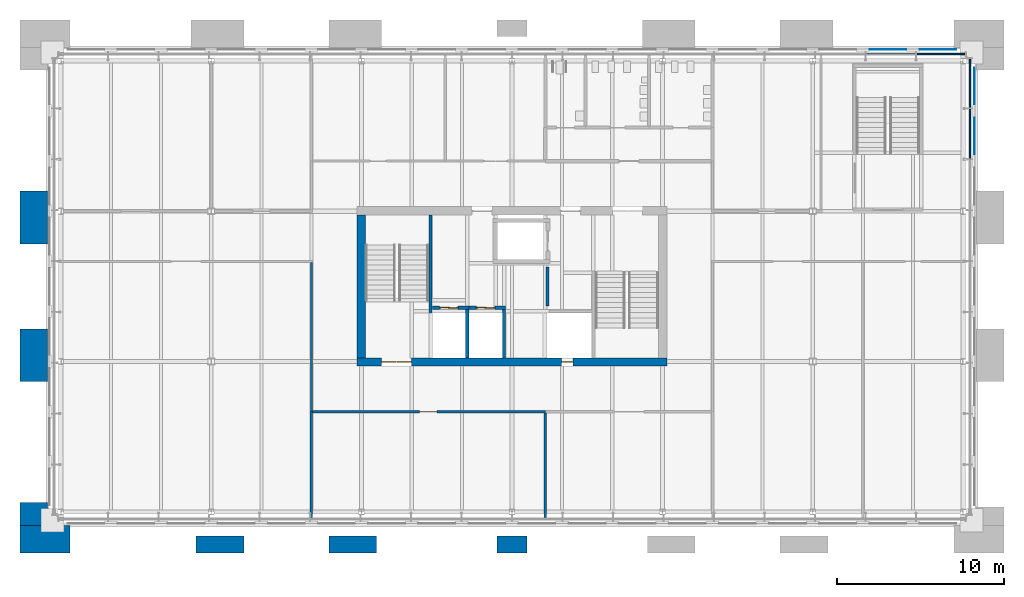
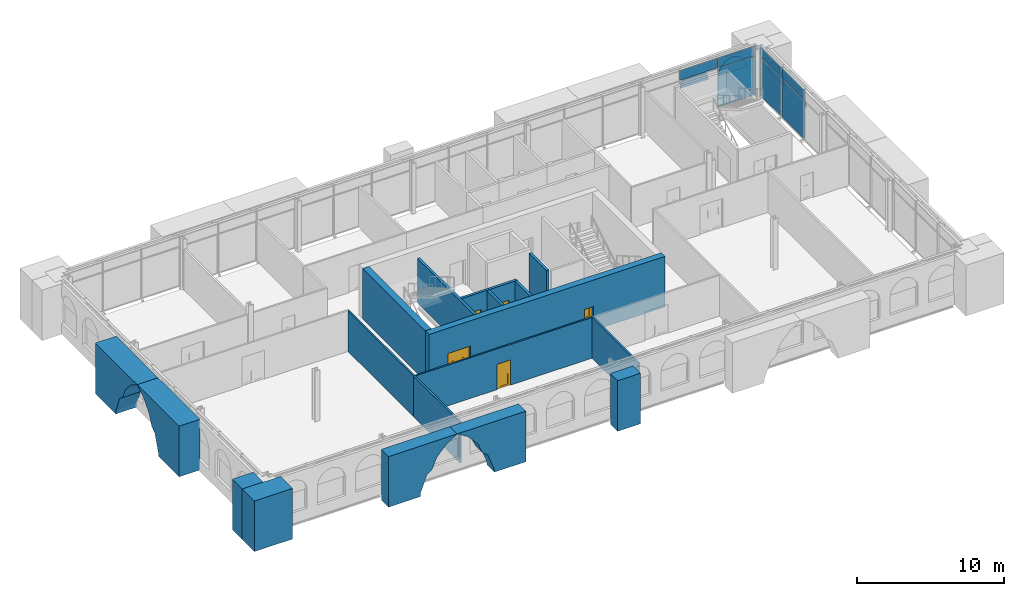
# One storey, part 11 of 22: 19 walls, 11 plates, 5 doors, 5 openings, 2 elements without a shape of their own.
"""IFC4 building model written with IfcOpenShell, lengths in metres."""

from ifc_helpers import new_model, si_unit, direction, frame, frame_2d, origin, origin_2d, place, context, subcontext, project, spatial, polyline, rectangle, outline, extrude, material, layer, layer_set, type_object, element, fill, aggregate, save


model = new_model("IFC4")

# Units and contexts
model_context = context("Model", 3, precision=1e-05, world=origin(), true_north=direction((0.0, 1.0)))
body_context = subcontext(model_context, "Body", "Model", "MODEL_VIEW")
ifc_project = project(units=[si_unit("LENGTHUNIT", "METRE"), si_unit("AREAUNIT", "SQUARE_METRE"), si_unit("VOLUMEUNIT", "CUBIC_METRE"), si_unit("PLANEANGLEUNIT", "RADIAN"), si_unit("MASSUNIT", "GRAM", prefix="KILO")], contexts=[model_context])

# Site, building, storey
site_placement = place(None, origin())
site = spatial("IfcSite", under=ifc_project, at=site_placement, CompositionType="ELEMENT")
building_placement = place(site_placement, origin())
building = spatial("IfcBuilding", under=site, at=building_placement, Name="Baradari Gate Terminus", CompositionType="ELEMENT")
storey_placement = place(building_placement, frame((0.0, 0.0, 28.5)))
storey = spatial("IfcBuildingStorey", under=building, at=storey_placement, Name="L06", CompositionType="ELEMENT", Elevation=28.5)

# Plates
ifc_material_1 = material(Name="Insulating glass unit", Category="glass")
ifc_layer_1 = layer(ifc_material_1, 0.0400390625)
ifc_layer_set_1 = layer_set([ifc_layer_1], Name="Insulating glass unit")
plate_type_1 = type_object("IfcPlateType", Name="Arch head glazing CP-AH 40", PredefinedType="SHEET", material=ifc_layer_set_1)
for number, where, z_axis, x_axis, name in (
    (1, (63.679931640625, 138.39990234375, 2.39990234375), (0.0, 0.0, 1.0), (0.0, 1.0, 0.0), "Arch head glazing CP-AH L06 E face 8"),
    (2, (63.679931640625, 141.39990234375, 2.39990234375), (0.0, 0.0, 1.0), (0.0, 1.0, 0.0), "Arch head glazing CP-AH L06 E face 9"),
    (3, (62.60009765625, 144.679931640625, 2.39990234375), (0.0, 0.0, 1.0), (-1.0, 0.0, 0.0), "Arch head glazing CP-AH L06 N face 1"),
    (4, (59.60009765625, 144.679931640625, 2.39990234375), (0.0, 0.0, 1.0), (-1.0, 0.0, 0.0), "Arch head glazing CP-AH L06 N face 2"),
):
    element("IfcPlate", number, at=place(storey_placement, frame(where, z_axis=z_axis, x_axis=x_axis)), inside=storey, type_object=plate_type_1, Name=name, PredefinedType="SHEET", context=body_context, shape_type="SweptSolid", body=[
        extrude(outline(polyline([(0.0, 0.0), (2.199951171875, 0.0), (2.19091796875, 0.148681640625), (2.163330078125, 0.294921875), (2.1181640625, 0.436767578125), (2.0556640625, 0.572021484375), (1.97705078125, 0.6982421875), (1.88330078125, 0.81396484375), (1.776123046875, 0.917236328125), (1.6572265625, 1.006591796875), (1.52783203125, 1.08056640625), (1.390625, 1.137939453125), (1.247314453125, 1.177978515625), (1.10009765625, 1.2001953125), (0.952880859375, 1.177978515625), (0.809326171875, 1.137939453125), (0.672119140625, 1.08056640625), (0.54296875, 1.006591796875), (0.423828125, 0.917236328125), (0.316650390625, 0.81396484375), (0.222900390625, 0.6982421875), (0.144287109375, 0.572021484375), (0.08203125, 0.436767578125), (0.03662109375, 0.294921875), (0.00927734375, 0.148681640625), (0.0, 0.0)])), frame((0.0, 0.02001953125, 0.0), z_axis=(0.0, -1.0, 0.0), x_axis=(1.0, 0.0, 0.0)), (0.0, 0.0, 1.0), 0.0400390625),
    ])

# Curtain wall, plates
ifc_material_2 = material(Name="Aluminium 6063-T6", Category="aluminium")
curtain_wall_type = type_object("IfcCurtainWallType", Name="Curtain wall CW-12 block arcade floors, L06-L07", PredefinedType="NOTDEFINED", material=ifc_material_2)
curtain_wall_1_placement = place(storey_placement, origin())
curtain_wall_1 = element("IfcCurtainWall", 5, at=curtain_wall_1_placement, inside=storey, type_object=curtain_wall_type, Name="Curtain wall CW-12 Operations block E face L06", PredefinedType="NOTDEFINED")
ifc_material_3 = material(Name="Insulating glass unit", Category="glass")
ifc_layer_2 = layer(ifc_material_3, 0.06005859375)
ifc_layer_set_2 = layer_set([ifc_layer_2], Name="Insulating glass unit")
plate_type_2 = type_object("IfcPlateType", Name="Curtain wall glazing unit CP-12 60", PredefinedType="CURTAIN_PANEL", material=ifc_layer_set_2)
plate_1_placement = place(storey_placement, frame((63.407470703125, 139.63330078125, 0.06494140625), z_axis=(0.0, 0.0, 1.0), x_axis=(0.0, 1.0, 0.0)))
plate_1 = element("IfcPlate", 6, at=plate_1_placement, type_object=plate_type_2, Name="CW-12 panel 8.1", PredefinedType="CURTAIN_PANEL", context=body_context, shape_type="SweptSolid", body=[
    extrude(rectangle(XDim=2.9794921875, YDim=0.06005859375, at=origin_2d()), origin(), (0.0, 0.0, 1.0), 3.202392578125),
])
plate_2_placement = place(storey_placement, frame((63.407470703125, 142.66162109375, 0.06494140625), z_axis=(0.0, 0.0, 1.0), x_axis=(0.0, 1.0, 0.0)))
plate_2 = element("IfcPlate", 7, at=plate_2_placement, type_object=plate_type_2, Name="CW-12 panel 9.1", PredefinedType="CURTAIN_PANEL", context=body_context, shape_type="SweptSolid", body=[
    extrude(rectangle(XDim=2.947021484375, YDim=0.06005859375, at=origin_2d()), origin(), (0.0, 0.0, 1.0), 3.202392578125),
])

# Curtain wall, plate
curtain_wall_2_placement = place(storey_placement, origin())
curtain_wall_2 = element("IfcCurtainWall", 8, at=curtain_wall_2_placement, inside=storey, type_object=curtain_wall_type, Name="Curtain wall CW-12 Operations block N face L06", PredefinedType="NOTDEFINED")
plate_3_placement = place(storey_placement, frame((61.672607421875, 144.407470703125, 0.06494140625), z_axis=(0.0, 0.0, 1.0), x_axis=(-1.0, 0.0, 0.0)))
plate_3 = element("IfcPlate", 9, at=plate_3_placement, type_object=plate_type_2, Name="CW-12 panel 1.1", PredefinedType="CURTAIN_PANEL", context=body_context, shape_type="SweptSolid", body=[
    extrude(rectangle(XDim=2.9248046875, YDim=0.06005859375, at=origin_2d()), origin(), (0.0, 0.0, 1.0), 3.202392578125),
])

# Plate
ifc_material_4 = material(Name="Back-painted glass", Category="glass")
ifc_layer_3 = layer(ifc_material_4, 0.090087890625)
ifc_layer_set_3 = layer_set([ifc_layer_3], Name="Back-painted glass")
plate_type_3 = type_object("IfcPlateType", Name="Curtain wall spandrel panel CP-S12 90", PredefinedType="CURTAIN_PANEL", material=ifc_layer_set_3)
plate_4_placement = place(storey_placement, frame((63.407470703125, 139.63330078125, 3.33251953125), z_axis=(0.0, 0.0, 1.0), x_axis=(0.0, 1.0, 0.0)))
plate_4 = element("IfcPlate", 10, at=plate_4_placement, type_object=plate_type_3, Name="CW-12 spandrel panel 8.2", PredefinedType="CURTAIN_PANEL", context=body_context, shape_type="SweptSolid", body=[
    extrude(rectangle(XDim=2.9794921875, YDim=0.090087890625, at=origin_2d()), origin(), (0.0, 0.0, 1.0), 0.802490234375),
])

plate_5_placement = place(storey_placement, frame((63.407470703125, 142.66162109375, 3.33251953125), z_axis=(0.0, 0.0, 1.0), x_axis=(0.0, 1.0, 0.0)))
plate_5 = element("IfcPlate", 11, at=plate_5_placement, type_object=plate_type_3, Name="CW-12 spandrel panel 9.2", PredefinedType="CURTAIN_PANEL", context=body_context, shape_type="SweptSolid", body=[
    extrude(rectangle(XDim=2.947021484375, YDim=0.090087890625, at=origin_2d()), origin(), (0.0, 0.0, 1.0), 0.802490234375),
])

aggregate(curtain_wall_1, [plate_1, plate_4, plate_2, plate_5])

plate_6_placement = place(storey_placement, frame((61.672607421875, 144.407470703125, 3.33251953125), z_axis=(0.0, 0.0, 1.0), x_axis=(-1.0, 0.0, 0.0)))
plate_6 = element("IfcPlate", 12, at=plate_6_placement, type_object=plate_type_3, Name="CW-12 spandrel panel 1.2", PredefinedType="CURTAIN_PANEL", context=body_context, shape_type="SweptSolid", body=[
    extrude(rectangle(XDim=2.9248046875, YDim=0.090087890625, at=origin_2d()), origin(), (0.0, 0.0, 1.0), 0.802490234375),
])

plate_7_placement = place(storey_placement, frame((58.666748046875, 144.407470703125, 3.33251953125), z_axis=(0.0, 0.0, 1.0), x_axis=(-1.0, 0.0, 0.0)))
plate_7 = element("IfcPlate", 13, at=plate_7_placement, type_object=plate_type_3, Name="CW-12 spandrel panel 2.2", PredefinedType="CURTAIN_PANEL", context=body_context, shape_type="SweptSolid", body=[
    extrude(rectangle(XDim=2.957275390625, YDim=0.090087890625, at=origin_2d()), origin(), (0.0, 0.0, 1.0), 0.802490234375),
])

aggregate(curtain_wall_2, [plate_3, plate_6, plate_7])

# Wall, opening, door
ifc_material_5 = material(Name="Gypsum board")
ifc_layer_4 = layer(ifc_material_5, 0.125)
ifc_layer_set_4 = layer_set([ifc_layer_4], Name="Gypsum board")
wall_type_1 = type_object("IfcWallType", Name="Corridor partition PT-5 125 EI 30", PredefinedType="PARTITIONING", material=ifc_layer_set_4)
wall_1_placement = place(storey_placement, frame((38.0, 123.0, 0.0), z_axis=(0.0, 0.0, 1.0), x_axis=(-1.0, 0.0, 0.0)))
wall_1 = element("IfcWall", 14, at=wall_1_placement, inside=storey, type_object=wall_type_1, Name="PT-5 partition Corridor / Staff Library", PredefinedType="PARTITIONING", context=body_context, shape_type="SweptSolid", body=[
    extrude(rectangle(XDim=13.925048828125, YDim=0.125, at=frame_2d((6.96240234375, 0.0))), origin(), (0.0, 0.0, 1.0), 3.382080078125),
])
opening_1_placement = place(wall_1_placement, frame((6.47509765625, 0.0, 0.0)))
opening_1 = element("IfcOpeningElement", 15, at=opening_1_placement, cuts=wall_1, Name="Opening D06-022", PredefinedType="OPENING", context=body_context, shape_type="SweptSolid", body=[
    extrude(rectangle(XDim=1.050048828125, YDim=2.10009765625, at=frame_2d((0.52490234375, 1.050048828125))), frame((0.0, 0.072509765625, 0.0), z_axis=(0.0, -1.0, 0.0), x_axis=(1.0, 0.0, 0.0)), (0.0, 0.0, 1.0), 0.14501953125),
])
ifc_material_6 = material(Name="Steel S275", Category="steel")
door_type_1 = type_object("IfcDoorType", Name="Fire door FI-1050-FD30S 1050x2100 FD30S", OperationType="SINGLE_SWING_LEFT", PredefinedType="DOOR", material=ifc_material_6)
door_1_placement = place(opening_1_placement, frame((1.050048828125, 0.0, 0.0), z_axis=(0.0, 0.0, 1.0), x_axis=(-1.0, 0.0, 0.0)))
door_1 = element("IfcDoor", 16, at=door_1_placement, inside=storey, type_object=door_type_1, Name="Door Staff Library", OperationType="SINGLE_SWING_LEFT", OverallHeight=2.1, OverallWidth=1.05, PredefinedType="DOOR", context=body_context, shape_type="SweptSolid", body=[
    extrude(outline(polyline([(0.0, 0.0), (0.070068359375, 0.0), (0.070068359375, 2.030029296875), (0.97998046875, 2.030029296875), (0.97998046875, 0.0), (1.050048828125, 0.0), (1.050048828125, 2.10009765625), (0.0, 2.10009765625), (0.0, 0.0)])), frame((0.0, 0.02490234375, 0.0), z_axis=(0.0, -1.0, 0.0), x_axis=(1.0, 0.0, 0.0)), (0.0, 0.0, 1.0), 0.050048828125),
    extrude(outline(polyline([(0.073974609375, 0.010009765625), (0.97607421875, 0.010009765625), (0.97607421875, 2.026123046875), (0.073974609375, 2.026123046875), (0.073974609375, 0.010009765625)]), holes=[polyline([(0.194091796875, 0.159912109375), (0.85595703125, 0.159912109375), (0.85595703125, 1.010009765625), (0.194091796875, 1.010009765625), (0.194091796875, 0.159912109375)]), polyline([(0.375, 1.159912109375), (0.675048828125, 1.159912109375), (0.675048828125, 1.760009765625), (0.375, 1.760009765625), (0.375, 1.159912109375)])]), frame((0.0, 0.017333984375, 0.0), z_axis=(0.0, -1.0, 0.0), x_axis=(1.0, 0.0, 0.0)), (0.0, 0.0, 1.0), 0.034912109375),
    extrude(rectangle(XDim=0.661865234375, YDim=0.85009765625, at=frame_2d((0.52490234375, 0.5849609375))), frame((0.0, 0.008544921875, 0.0), z_axis=(0.0, -1.0, 0.0), x_axis=(1.0, 0.0, 0.0)), (0.0, 0.0, 1.0), 0.017333984375),
    extrude(rectangle(XDim=0.300048828125, YDim=0.60009765625, at=frame_2d((0.52490234375, 1.4599609375))), frame((0.0, 0.005859375, 0.0), z_axis=(0.0, -1.0, 0.0), x_axis=(1.0, 0.0, 0.0)), (0.0, 0.0, 1.0), 0.011962890625),
])
fill(opening_1, door_1)

# Wall
wall_2_placement = place(storey_placement, frame((24.0, 123.0, 0.0), z_axis=(0.0, 0.0, 1.0), x_axis=(0.0, 1.0, 0.0)))
element("IfcWall", 17, at=wall_2_placement, inside=storey, type_object=wall_type_1, Name="PT-5 partition Corridor / Driving Simulator Room", PredefinedType="PARTITIONING", context=body_context, shape_type="SweptSolid", body=[
    extrude(rectangle(XDim=8.9375, YDim=0.125, at=frame_2d((4.46875, 0.0))), origin(), (0.0, 0.0, 1.0), 3.382080078125),
])

# Wall, opening, door
ifc_material_7 = material(Name="Blockwork wall, fire rated", Category="masonry")
ifc_layer_5 = layer(ifc_material_7, 0.199951171875)
ifc_layer_set_5 = layer_set([ifc_layer_5], Name="Blockwork wall, fire rated")
wall_type_2 = type_object("IfcWallType", Name="Lift shaft wall SH-1 200 EI 120", PredefinedType="SOLIDWALL", material=ifc_layer_set_5)
wall_3_placement = place(storey_placement, frame((31.22705078125, 129.22509765625, 0.0), z_axis=(0.0, 0.0, 1.0), x_axis=(1.0, 0.0, 0.0)))
wall_3 = element("IfcWall", 18, at=wall_3_placement, inside=storey, type_object=wall_type_2, Name="Lift shaft wall LT1 L06 N", PredefinedType="SOLIDWALL", context=body_context, shape_type="SweptSolid", body=[
    extrude(rectangle(XDim=2.197998046875, YDim=0.199951171875, at=frame_2d((1.09912109375, 0.0))), origin(), (0.0, 0.0, 1.0), 3.52490234375),
])
opening_2_placement = place(wall_3_placement, frame((0.447998046875, 0.0, 0.0)))
opening_2 = element("IfcOpeningElement", 19, at=opening_2_placement, cuts=wall_3, Name="Opening D06-001", PredefinedType="OPENING", context=body_context, shape_type="SweptSolid", body=[
    extrude(rectangle(XDim=1.10009765625, YDim=2.10009765625, at=frame_2d((0.550048828125, 1.050048828125))), frame((0.0, 0.10986328125, 0.0), z_axis=(0.0, -1.0, 0.0), x_axis=(1.0, 0.0, 0.0)), (0.0, 0.0, 1.0), 0.219970703125),
])
ifc_material_8 = material(Name="Stainless steel 1.4301", Category="steel")
door_type_2 = type_object("IfcDoorType", Name="Lift landing door LD 1100x2100 E 120", OperationType="SLIDING_TO_LEFT", PredefinedType="DOOR", material=ifc_material_8)
door_2_placement = place(opening_2_placement, origin())
door_2 = element("IfcDoor", 20, at=door_2_placement, inside=storey, type_object=door_type_2, Name="Lift landing door LT1 L06", OperationType="SLIDING_TO_LEFT", OverallHeight=2.1, OverallWidth=1.1, PredefinedType="DOOR", context=body_context, shape_type="SweptSolid", body=[
    extrude(outline(polyline([(0.0, 0.0), (0.070068359375, 0.0), (0.070068359375, 2.030029296875), (1.030029296875, 2.030029296875), (1.030029296875, 0.0), (1.10009765625, 0.0), (1.10009765625, 2.10009765625), (0.0, 2.10009765625), (0.0, 0.0)])), frame((0.0, 0.02490234375, 0.0), z_axis=(0.0, -1.0, 0.0), x_axis=(1.0, 0.0, 0.0)), (0.0, 0.0, 1.0), 0.050048828125),
    extrude(rectangle(XDim=0.523681640625, YDim=2.01611328125, at=frame_2d((0.3359375, 1.01806640625))), frame((0.0, 0.017822265625, 0.0), z_axis=(0.0, -1.0, 0.0), x_axis=(1.0, 0.0, 0.0)), (0.0, 0.0, 1.0), 0.015869140625),
    extrude(rectangle(XDim=0.519775390625, YDim=2.01611328125, at=frame_2d((0.76611328125, 1.01806640625))), frame((0.0, -0.002197265625, 0.0), z_axis=(0.0, -1.0, 0.0), x_axis=(1.0, 0.0, 0.0)), (0.0, 0.0, 1.0), 0.015869140625),
])
fill(opening_2, door_2)

# Wall
wall_4_placement = place(storey_placement, frame((33.324951171875, 126.22705078125, 0.0), z_axis=(0.0, 0.0, 1.0), x_axis=(0.0, 1.0, 0.0)))
element("IfcWall", 21, at=wall_4_placement, inside=storey, type_object=wall_type_2, Name="Lift shaft wall LT1 L06 E", PredefinedType="SOLIDWALL", context=body_context, shape_type="SweptSolid", body=[
    extrude(rectangle(XDim=2.89794921875, YDim=0.199951171875, at=frame_2d((1.448974609375, 0.0))), origin(), (0.0, 0.0, 1.0), 3.52490234375),
])

# Wall, opening, door
wall_5_placement = place(storey_placement, frame((33.427001953125, 129.22509765625, 0.0), z_axis=(0.0, 0.0, 1.0), x_axis=(1.0, 0.0, 0.0)))
wall_5 = element("IfcWall", 22, at=wall_5_placement, inside=storey, type_object=wall_type_2, Name="Lift shaft wall LT2 L06 N", PredefinedType="SOLIDWALL", context=body_context, shape_type="SweptSolid", body=[
    extrude(rectangle(XDim=2.197998046875, YDim=0.199951171875, at=frame_2d((1.09912109375, 0.0))), origin(), (0.0, 0.0, 1.0), 3.52490234375),
])
opening_3_placement = place(wall_5_placement, frame((0.447998046875, 0.0, 0.0)))
opening_3 = element("IfcOpeningElement", 23, at=opening_3_placement, cuts=wall_5, Name="Opening D06-002", PredefinedType="OPENING", context=body_context, shape_type="SweptSolid", body=[
    extrude(rectangle(XDim=1.10009765625, YDim=2.10009765625, at=frame_2d((0.550048828125, 1.050048828125))), frame((0.0, 0.10986328125, 0.0), z_axis=(0.0, -1.0, 0.0), x_axis=(1.0, 0.0, 0.0)), (0.0, 0.0, 1.0), 0.219970703125),
])
door_3_placement = place(opening_3_placement, origin())
door_3 = element("IfcDoor", 24, at=door_3_placement, inside=storey, type_object=door_type_2, Name="Lift landing door LT2 L06", OperationType="SLIDING_TO_LEFT", OverallHeight=2.1, OverallWidth=1.1, PredefinedType="DOOR", context=body_context, shape_type="SweptSolid", body=[
    extrude(outline(polyline([(0.0, 0.0), (0.070068359375, 0.0), (0.070068359375, 2.030029296875), (1.030029296875, 2.030029296875), (1.030029296875, 0.0), (1.10009765625, 0.0), (1.10009765625, 2.10009765625), (0.0, 2.10009765625), (0.0, 0.0)])), frame((0.0, 0.02490234375, 0.0), z_axis=(0.0, -1.0, 0.0), x_axis=(1.0, 0.0, 0.0)), (0.0, 0.0, 1.0), 0.050048828125),
    extrude(rectangle(XDim=0.523681640625, YDim=2.01611328125, at=frame_2d((0.3359375, 1.01806640625))), frame((0.0, 0.017822265625, 0.0), z_axis=(0.0, -1.0, 0.0), x_axis=(1.0, 0.0, 0.0)), (0.0, 0.0, 1.0), 0.015869140625),
    extrude(rectangle(XDim=0.519775390625, YDim=2.01611328125, at=frame_2d((0.76611328125, 1.01806640625))), frame((0.0, -0.002197265625, 0.0), z_axis=(0.0, -1.0, 0.0), x_axis=(1.0, 0.0, 0.0)), (0.0, 0.0, 1.0), 0.015869140625),
])
fill(opening_3, door_3)

# Walls
wall_6_placement = place(storey_placement, frame((35.52490234375, 126.22705078125, 0.0), z_axis=(0.0, 0.0, 1.0), x_axis=(0.0, 1.0, 0.0)))
element("IfcWall", 25, at=wall_6_placement, inside=storey, type_object=wall_type_2, Name="Lift shaft wall LT2 L06 E", PredefinedType="SOLIDWALL", context=body_context, shape_type="SweptSolid", body=[
    extrude(rectangle(XDim=2.89794921875, YDim=0.199951171875, at=frame_2d((1.448974609375, 0.0))), origin(), (0.0, 0.0, 1.0), 3.52490234375),
])
ifc_material_9 = material(Name="Blockwork wall, plastered, fire rated", Category="masonry")
ifc_layer_6 = layer(ifc_material_9, 0.199951171875)
ifc_layer_set_6 = layer_set([ifc_layer_6], Name="Blockwork wall, plastered, fire rated")
wall_type_3 = type_object("IfcWallType", Name="Lobby partition PT-4 200 EI 60", PredefinedType="PARTITIONING", material=ifc_layer_set_6)
wall_7_placement = place(storey_placement, frame((38.125, 131.675048828125, 0.0), z_axis=(0.0, 0.0, 1.0), x_axis=(0.0, -1.0, 0.0)))
element("IfcWall", 26, at=wall_7_placement, inside=storey, type_object=wall_type_3, Name="PT-4 partition Lift Lobby / Lift Lobby (Fire-fighting)", PredefinedType="PARTITIONING", context=body_context, shape_type="SweptSolid", body=[
    extrude(rectangle(XDim=2.35009765625, YDim=0.199951171875, at=frame_2d((1.175048828125, 0.0))), origin(), (0.0, 0.0, 1.0), 3.382080078125),
])

# Wall, openings, doors
ifc_material_10 = material(Name="Concrete C40/50", Category="concrete")
ifc_layer_7 = layer(ifc_material_10, 0.5)
ifc_layer_set_7 = layer_set([ifc_layer_7], Name="Concrete C40/50")
wall_type_4 = type_object("IfcWallType", Name="Operations block core wall CWL02 500", PredefinedType="SOLIDWALL", material=ifc_layer_set_7)
wall_8_placement = place(storey_placement, frame((26.72509765625, 125.97509765625, 0.0), z_axis=(0.0, 0.0, 1.0), x_axis=(1.0, 0.0, 0.0)))
wall_8 = element("IfcWall", 27, at=wall_8_placement, inside=storey, type_object=wall_type_4, Name="Operations block core wall CT S L06", PredefinedType="SOLIDWALL", context=body_context, shape_type="SweptSolid", body=[
    extrude(rectangle(XDim=18.5498046875, YDim=0.5, at=frame_2d((9.27490234375, 0.0))), origin(), (0.0, 0.0, 1.0), 4.199951171875),
])
opening_4_placement = place(wall_8_placement, frame((1.47509765625, 0.0, 0.0)))
opening_4 = element("IfcOpeningElement", 28, at=opening_4_placement, cuts=wall_8, Name="Opening D06-004", PredefinedType="OPENING", context=body_context, shape_type="SweptSolid", body=[
    extrude(rectangle(XDim=1.800048828125, YDim=2.10009765625, at=frame_2d((0.89990234375, 1.050048828125))), frame((0.0, 0.260009765625, 0.0), z_axis=(0.0, -1.0, 0.0), x_axis=(1.0, 0.0, 0.0)), (0.0, 0.0, 1.0), 0.52001953125),
])
opening_5_placement = place(wall_8_placement, frame((12.22509765625, 0.0, 0.0)))
opening_5 = element("IfcOpeningElement", 29, at=opening_5_placement, cuts=wall_8, Name="Opening D06-008", PredefinedType="OPENING", context=body_context, shape_type="SweptSolid", body=[
    extrude(rectangle(XDim=0.699951171875, YDim=2.0, at=frame_2d((0.35009765625, 1.0))), frame((0.0, 0.260009765625, 0.0), z_axis=(0.0, -1.0, 0.0), x_axis=(1.0, 0.0, 0.0)), (0.0, 0.0, 1.0), 0.52001953125),
])
ifc_material_11 = material(Name="Steel S275", Category="steel")
door_type_3 = type_object("IfcDoorType", Name="Fire door FI-1800-FD90S 1800x2100 FD90S", OperationType="DOUBLE_DOOR_SINGLE_SWING", PredefinedType="DOOR", material=ifc_material_11)
door_4_placement = place(opening_4_placement, origin())
door_4 = element("IfcDoor", 30, at=door_4_placement, inside=storey, type_object=door_type_3, Name="Door Stair (Core) 1", OperationType="DOUBLE_DOOR_SINGLE_SWING", OverallHeight=2.1, OverallWidth=1.8, PredefinedType="DOOR", context=body_context, shape_type="SweptSolid", body=[
    extrude(outline(polyline([(0.0, 0.0), (0.070068359375, 0.0), (0.070068359375, 2.030029296875), (1.72998046875, 2.030029296875), (1.72998046875, 0.0), (1.800048828125, 0.0), (1.800048828125, 2.10009765625), (0.0, 2.10009765625), (0.0, 0.0)])), frame((0.0, 0.02490234375, 0.0), z_axis=(0.0, -1.0, 0.0), x_axis=(1.0, 0.0, 0.0)), (0.0, 0.0, 1.0), 0.050048828125),
    extrude(outline(polyline([(0.073974609375, 0.010009765625), (0.89697265625, 0.010009765625), (0.89697265625, 2.026123046875), (0.073974609375, 2.026123046875), (0.073974609375, 0.010009765625)]), holes=[polyline([(0.194091796875, 0.159912109375), (0.77685546875, 0.159912109375), (0.77685546875, 1.010009765625), (0.194091796875, 1.010009765625), (0.194091796875, 0.159912109375)]), polyline([(0.33544921875, 1.159912109375), (0.635498046875, 1.159912109375), (0.635498046875, 1.760009765625), (0.33544921875, 1.760009765625), (0.33544921875, 1.159912109375)])]), frame((0.0, 0.017333984375, 0.0), z_axis=(0.0, -1.0, 0.0), x_axis=(1.0, 0.0, 0.0)), (0.0, 0.0, 1.0), 0.034912109375),
    extrude(rectangle(XDim=0.582763671875, YDim=0.85009765625, at=frame_2d((0.4853515625, 0.5849609375))), frame((0.0, 0.008544921875, 0.0), z_axis=(0.0, -1.0, 0.0), x_axis=(1.0, 0.0, 0.0)), (0.0, 0.0, 1.0), 0.017333984375),
    extrude(rectangle(XDim=0.300048828125, YDim=0.60009765625, at=frame_2d((0.4853515625, 1.4599609375))), frame((0.0, 0.005859375, 0.0), z_axis=(0.0, -1.0, 0.0), x_axis=(1.0, 0.0, 0.0)), (0.0, 0.0, 1.0), 0.011962890625),
    extrude(outline(polyline([(0.903076171875, 0.010009765625), (1.72607421875, 0.010009765625), (1.72607421875, 2.026123046875), (0.903076171875, 2.026123046875), (0.903076171875, 0.010009765625)]), holes=[polyline([(1.023193359375, 0.159912109375), (1.60595703125, 0.159912109375), (1.60595703125, 1.010009765625), (1.023193359375, 1.010009765625), (1.023193359375, 0.159912109375)]), polyline([(1.16455078125, 1.159912109375), (1.464599609375, 1.159912109375), (1.464599609375, 1.760009765625), (1.16455078125, 1.760009765625), (1.16455078125, 1.159912109375)])]), frame((0.0, 0.017333984375, 0.0), z_axis=(0.0, -1.0, 0.0), x_axis=(1.0, 0.0, 0.0)), (0.0, 0.0, 1.0), 0.034912109375),
    extrude(rectangle(XDim=0.582763671875, YDim=0.85009765625, at=frame_2d((1.314453125, 0.5849609375))), frame((0.0, 0.008544921875, 0.0), z_axis=(0.0, -1.0, 0.0), x_axis=(1.0, 0.0, 0.0)), (0.0, 0.0, 1.0), 0.017333984375),
    extrude(rectangle(XDim=0.300048828125, YDim=0.60009765625, at=frame_2d((1.314453125, 1.4599609375))), frame((0.0, 0.005859375, 0.0), z_axis=(0.0, -1.0, 0.0), x_axis=(1.0, 0.0, 0.0)), (0.0, 0.0, 1.0), 0.011962890625),
])
fill(opening_4, door_4)
ifc_material_12 = material(Name="Steel S275", Category="steel")
door_type_4 = type_object("IfcDoorType", Name="Fire door FI-700x2000-FD90S 700x2000 FD90S", OperationType="SINGLE_SWING_LEFT", PredefinedType="DOOR", material=ifc_material_12)
door_5_placement = place(opening_5_placement, origin())
door_5 = element("IfcDoor", 31, at=door_5_placement, inside=storey, type_object=door_type_4, Name="Door Riser", OperationType="SINGLE_SWING_RIGHT", OverallHeight=2.0, OverallWidth=0.7, PredefinedType="DOOR", context=body_context, shape_type="SweptSolid", body=[
    extrude(outline(polyline([(0.0, 0.0), (0.070068359375, 0.0), (0.070068359375, 1.929931640625), (0.6298828125, 1.929931640625), (0.6298828125, 0.0), (0.699951171875, 0.0), (0.699951171875, 2.0), (0.0, 2.0), (0.0, 0.0)])), frame((0.0, 0.02490234375, 0.0), z_axis=(0.0, -1.0, 0.0), x_axis=(1.0, 0.0, 0.0)), (0.0, 0.0, 1.0), 0.050048828125),
    extrude(outline(polyline([(0.073974609375, 0.010009765625), (0.6259765625, 0.010009765625), (0.6259765625, 1.926025390625), (0.073974609375, 1.926025390625), (0.073974609375, 0.010009765625)]), holes=[polyline([(0.184326171875, 0.159912109375), (0.515625, 0.159912109375), (0.515625, 1.010009765625), (0.184326171875, 1.010009765625), (0.184326171875, 0.159912109375)]), polyline([(0.199951171875, 1.159912109375), (0.5, 1.159912109375), (0.5, 1.760009765625), (0.199951171875, 1.760009765625), (0.199951171875, 1.159912109375)])]), frame((0.0, 0.017333984375, 0.0), z_axis=(0.0, -1.0, 0.0), x_axis=(1.0, 0.0, 0.0)), (0.0, 0.0, 1.0), 0.034912109375),
    extrude(rectangle(XDim=0.331298828125, YDim=0.85009765625, at=frame_2d((0.35009765625, 0.5849609375))), frame((0.0, 0.008544921875, 0.0), z_axis=(0.0, -1.0, 0.0), x_axis=(1.0, 0.0, 0.0)), (0.0, 0.0, 1.0), 0.017333984375),
    extrude(rectangle(XDim=0.300048828125, YDim=0.60009765625, at=frame_2d((0.35009765625, 1.4599609375))), frame((0.0, 0.005859375, 0.0), z_axis=(0.0, -1.0, 0.0), x_axis=(1.0, 0.0, 0.0)), (0.0, 0.0, 1.0), 0.011962890625),
])
fill(opening_5, door_5)

# Walls
wall_9_placement = place(storey_placement, frame((26.97509765625, 126.22509765625, 0.0), z_axis=(0.0, 0.0, 1.0), x_axis=(0.0, 1.0, 0.0)))
element("IfcWall", 32, at=wall_9_placement, inside=storey, type_object=wall_type_4, Name="Operations block core wall CT W L06", PredefinedType="SOLIDWALL", context=body_context, shape_type="SweptSolid", body=[
    extrude(rectangle(XDim=8.5498046875, YDim=0.5, at=frame_2d((4.27490234375, 0.0))), origin(), (0.0, 0.0, 1.0), 4.199951171875),
])
ifc_material_13 = material(Name="Blockwork wall, plastered", Category="masonry")
ifc_layer_8 = layer(ifc_material_13, 0.14990234375)
ifc_layer_set_8 = layer_set([ifc_layer_8], Name="Blockwork wall, plastered")
wall_type_5 = type_object("IfcWallType", Name="Partition PT-2 150 EI 60", PredefinedType="PARTITIONING", material=ifc_layer_set_8)
wall_10_placement = place(storey_placement, frame((24.0, 123.0, 0.0), z_axis=(0.0, 0.0, 1.0), x_axis=(0.0, -1.0, 0.0)))
element("IfcWall", 33, at=wall_10_placement, inside=storey, type_object=wall_type_5, Name="PT-2 partition Driving Simulator Room / Staff Library", PredefinedType="PARTITIONING", context=body_context, shape_type="SweptSolid", body=[
    extrude(rectangle(XDim=6.31494140625, YDim=0.14990234375, at=frame_2d((3.157470703125, 0.0))), origin(), (0.0, 0.0, 1.0), 3.382080078125),
])
wall_11_placement = place(storey_placement, frame((38.0, 122.9375, 0.0), z_axis=(0.0, 0.0, 1.0), x_axis=(0.0, -1.0, 0.0)))
element("IfcWall", 34, at=wall_11_placement, inside=storey, type_object=wall_type_5, Name="PT-2 partition Staff Library / Training Classroom 2", PredefinedType="PARTITIONING", context=body_context, shape_type="SweptSolid", body=[
    extrude(rectangle(XDim=6.25244140625, YDim=0.14990234375, at=frame_2d((3.126220703125, 0.0))), origin(), (0.0, 0.0, 1.0), 3.382080078125),
])
ifc_material_14 = material(Name="Concrete C40/50 precast", Category="concrete")
ifc_layer_9 = layer(ifc_material_14, 1.55)
ifc_material_15 = material(Name="Sandstone cladding", Category="masonry")
ifc_layer_10 = layer(ifc_material_15, 0.1)
ifc_layer_set_9 = layer_set([ifc_layer_9, ifc_layer_10], Name="Concrete C40/50 precast")
wall_type_6 = type_object("IfcWallType", Name="Sandstone-faced precast frame pier WQ-4 1650", PredefinedType="SOLIDWALL", material=ifc_layer_set_9)
wall_12_placement = place(storey_placement, frame((7.3798828125, 124.800048828125, 0.0), z_axis=(0.0, 0.0, 1.0), x_axis=(0.0, 1.0, 0.0)))
element("IfcWall", 35, at=wall_12_placement, inside=storey, type_object=wall_type_6, Name="Frame portal wall W face bay 1 1", PredefinedType="SOLIDWALL", context=body_context, shape_type="SweptSolid", body=[
    extrude(outline(polyline([(2.795166015625, 0.0), (2.820068359375, 0.31201171875), (3.300048828125, 1.60791015625), (3.719970703125, 1.931884765625), (4.080078125, 2.7958984375), (4.860107421875, 3.659912109375), (5.699951171875, 4.199951171875), (0.0, 4.199951171875), (0.0, 0.0), (2.795166015625, 0.0)])), frame((0.0, 0.824951171875, 0.0), z_axis=(0.0, -1.0, 0.0), x_axis=(1.0, 0.0, 0.0)), (0.0, 0.0, 1.0), 1.64990234375),
])
wall_13_placement = place(storey_placement, frame((7.3798828125, 130.5, 0.0), z_axis=(0.0, 0.0, 1.0), x_axis=(0.0, 1.0, 0.0)))
element("IfcWall", 36, at=wall_13_placement, inside=storey, type_object=wall_type_6, Name="Frame portal wall W face bay 1 2", PredefinedType="SOLIDWALL", context=body_context, shape_type="SweptSolid", body=[
    extrude(outline(polyline([(0.0, 4.199951171875), (0.840087890625, 3.659912109375), (1.6201171875, 2.7958984375), (1.97998046875, 1.931884765625), (2.39990234375, 1.60791015625), (2.8798828125, 0.31201171875), (2.90478515625, 0.0), (5.699951171875, 0.0), (5.699951171875, 4.199951171875), (0.0, 4.199951171875)])), frame((0.0, 0.824951171875, 0.0), z_axis=(0.0, -1.0, 0.0), x_axis=(1.0, 0.0, 0.0)), (0.0, 0.0, 1.0), 1.64990234375),
])
wall_14_placement = place(storey_placement, frame((6.554931640625, 115.3798828125, 0.0), z_axis=(0.0, 0.0, 1.0), x_axis=(1.0, 0.0, 0.0)))
element("IfcWall", 37, at=wall_14_placement, inside=storey, type_object=wall_type_6, Name="Corner pilaster SW leg A L06", PredefinedType="SOLIDWALL", context=body_context, shape_type="SweptSolid", body=[
    extrude(rectangle(XDim=3.0, YDim=1.64990234375, at=frame_2d((1.5, 0.0))), origin(), (0.0, 0.0, 1.0), 4.199951171875),
])
wall_15_placement = place(storey_placement, frame((7.3798828125, 116.205078125, 0.0), z_axis=(0.0, 0.0, 1.0), x_axis=(0.0, 1.0, 0.0)))
element("IfcWall", 38, at=wall_15_placement, inside=storey, type_object=wall_type_6, Name="Corner pilaster SW leg B L06", PredefinedType="SOLIDWALL", context=body_context, shape_type="SweptSolid", body=[
    extrude(rectangle(XDim=1.349853515625, YDim=1.64990234375, at=frame_2d((0.6748046875, 0.0))), origin(), (0.0, 0.0, 1.0), 4.199951171875),
])
ifc_layer_11 = layer(ifc_material_14, 0.9)
ifc_layer_12 = layer(ifc_material_15, 0.1)
ifc_layer_set_10 = layer_set([ifc_layer_11, ifc_layer_12], Name="Concrete C40/50 precast")
wall_type_7 = type_object("IfcWallType", Name="Sandstone-faced precast grid pier WQ-6 1000", PredefinedType="SOLIDWALL", material=ifc_layer_set_10)
wall_16_placement = place(storey_placement, frame((17.10009765625, 115.054931640625, 0.0), z_axis=(0.0, 0.0, 1.0), x_axis=(1.0, 0.0, 0.0)))
element("IfcWall", 39, at=wall_16_placement, inside=storey, type_object=wall_type_7, Name="Frame portal wall S face bay 1 1", PredefinedType="SOLIDWALL", context=body_context, shape_type="SweptSolid", body=[
    extrude(outline(polyline([(2.4951171875, 0.0), (2.52001953125, 0.31201171875), (3.0, 1.60791015625), (3.419921875, 1.931884765625), (3.780029296875, 2.7958984375), (4.56005859375, 3.659912109375), (5.39990234375, 4.199951171875), (0.0, 4.199951171875), (0.0, 0.0), (2.4951171875, 0.0)])), frame((0.0, 0.5, 0.0), z_axis=(0.0, -1.0, 0.0), x_axis=(1.0, 0.0, 0.0)), (0.0, 0.0, 1.0), 1.0),
])
wall_17_placement = place(storey_placement, frame((22.5, 115.054931640625, 0.0), z_axis=(0.0, 0.0, 1.0), x_axis=(1.0, 0.0, 0.0)))
element("IfcWall", 40, at=wall_17_placement, inside=storey, type_object=wall_type_7, Name="Frame portal wall S face bay 1 2", PredefinedType="SOLIDWALL", context=body_context, shape_type="SweptSolid", body=[
    extrude(outline(polyline([(0.0, 4.199951171875), (0.840087890625, 3.659912109375), (1.6201171875, 2.7958984375), (1.97998046875, 1.931884765625), (2.39990234375, 1.60791015625), (2.8798828125, 0.31201171875), (2.90478515625, 0.0), (5.39990234375, 0.0), (5.39990234375, 4.199951171875), (0.0, 4.199951171875)])), frame((0.0, 0.5, 0.0), z_axis=(0.0, -1.0, 0.0), x_axis=(1.0, 0.0, 0.0)), (0.0, 0.0, 1.0), 1.0),
])
wall_18_placement = place(storey_placement, frame((35.10009765625, 115.054931640625, 0.0), z_axis=(0.0, 0.0, 1.0), x_axis=(1.0, 0.0, 0.0)))
element("IfcWall", 41, at=wall_18_placement, inside=storey, type_object=wall_type_7, Name="Grid pier S face grid 36 L06", PredefinedType="SOLIDWALL", context=body_context, shape_type="SweptSolid", body=[
    extrude(rectangle(XDim=1.7998046875, YDim=1.0, at=frame_2d((0.89990234375, 0.0))), origin(), (0.0, 0.0, 1.0), 4.199951171875),
])
ifc_material_16 = material(Name="Concrete C40/50", Category="concrete")
ifc_layer_13 = layer(ifc_material_16, 0.199951171875)
ifc_layer_set_11 = layer_set([ifc_layer_13], Name="Concrete C40/50")
wall_type_8 = type_object("IfcWallType", Name="Stair enclosure wall SE-1 200 EI 120", PredefinedType="SOLIDWALL", material=ifc_layer_set_11)
wall_19_placement = place(storey_placement, frame((31.125, 126.22705078125, -0.1298828125), z_axis=(0.0, 0.0, 1.0), x_axis=(0.0, 1.0, 0.0)))
element("IfcWall", 42, at=wall_19_placement, inside=storey, type_object=wall_type_8, Name="Stair enclosure wall SE-1 ST-T1 L06 E", PredefinedType="SOLIDWALL", context=body_context, shape_type="SweptSolid", body=[
    extrude(rectangle(XDim=8.5458984375, YDim=0.199951171875, at=frame_2d((4.27294921875, 0.0))), origin(), (0.0, 0.0, 1.0), 3.665771484375),
])

save(model, "model.ifc")
